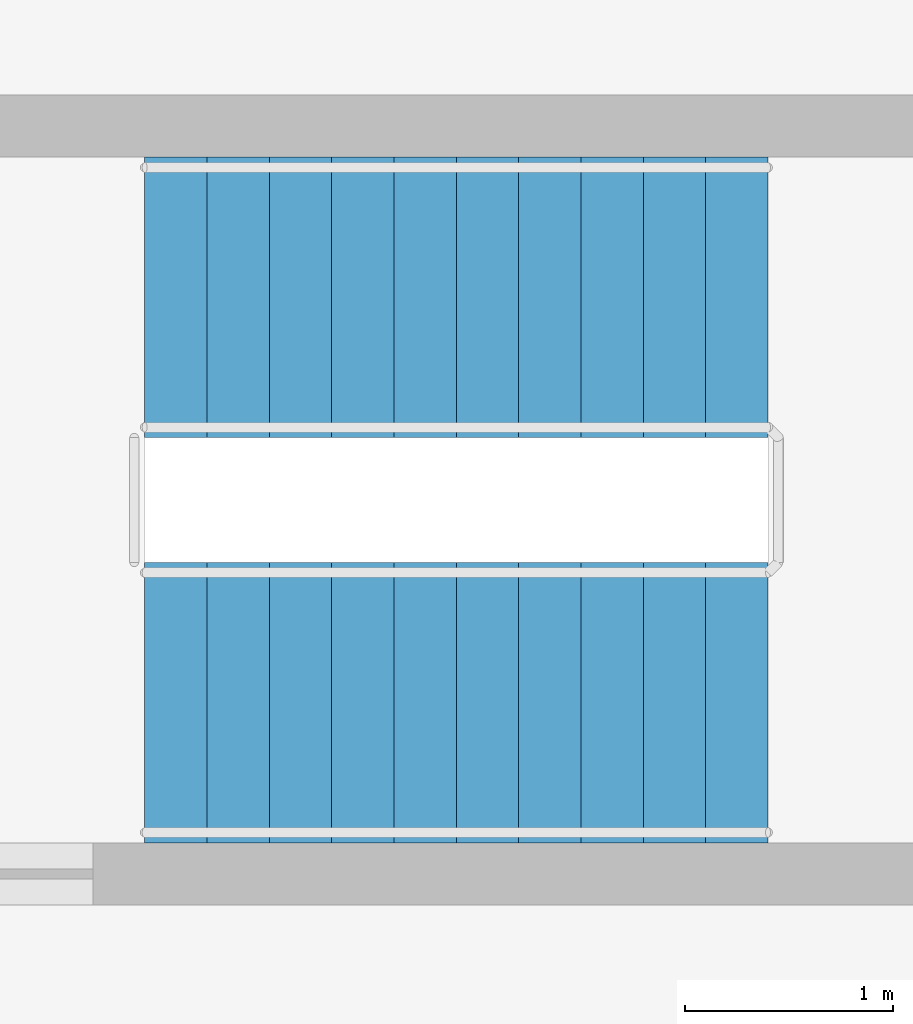
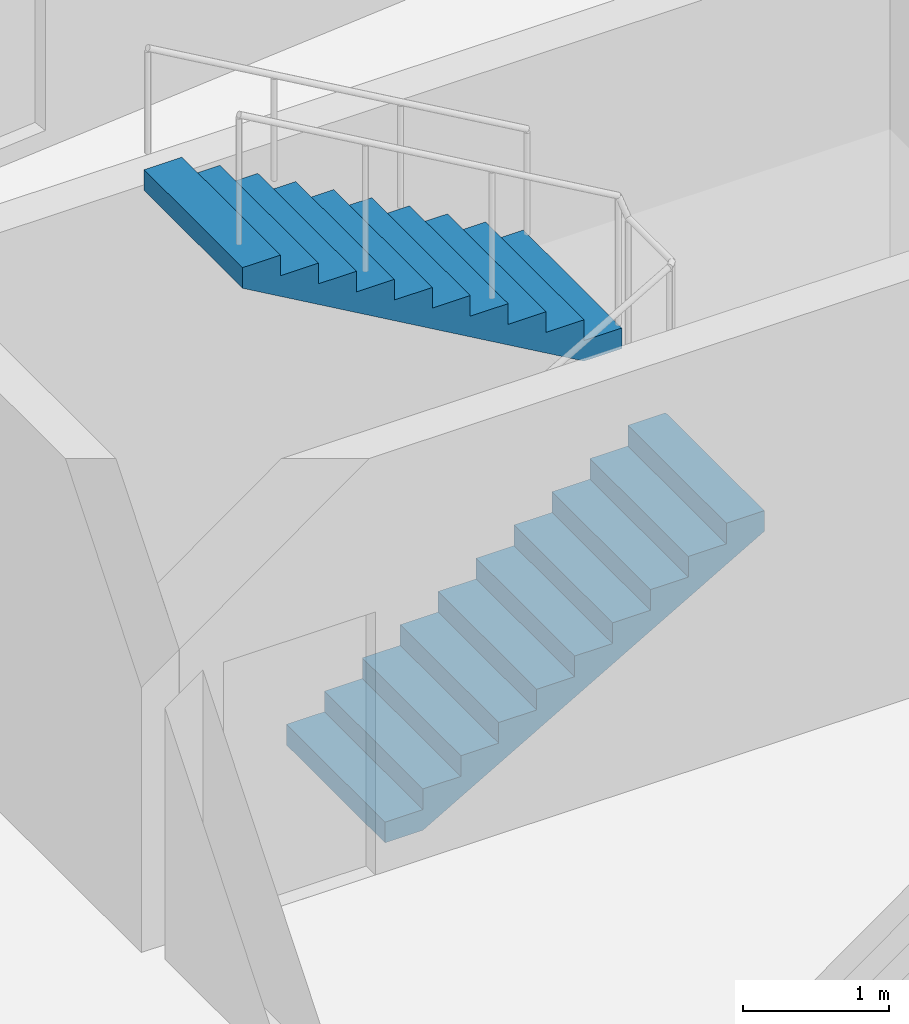
# One storey, part 9 of 11: 2 stair flights, 1 element without a shape of its own.
"""IFC4 building model written with IfcOpenShell, lengths in metres."""

import ifcopenshell
import ifcopenshell.guid

model = None  # the IFC model being written
_history = None  # IfcOwnerHistory: only IFC2X3 demands one
_inside = {}  # id of a spatial element -> (the spatial element, [elements in it])
_under = {}  # id of a project, library or spatial element -> (it, [spatial elements below it])
_declared = {}  # id of a project -> (the project, [libraries it declares])
_typed = {}  # id of a type object -> (the type object, [elements of that type])
_made_of = {}  # id of a material, layer set ... -> (it, [elements and type objects made of it])


def new_model(schema):
    """Start an empty IFC model of exactly this schema.

    Asked for "IFC4X3", IfcOpenShell would pick the latest addendum, in which some entities
    have other attributes; the version numbers below select the first issue.
    IFC2X3 requires an IfcOwnerHistory on every rooted entity: one is made here for all.
    """
    global model, _history
    if schema == "IFC4X3":
        model = ifcopenshell.file(schema_version=(4, 3, 0, 0))
    else:
        model = ifcopenshell.file(schema=schema)
    _inside.clear()
    _under.clear()
    _declared.clear()
    _typed.clear()
    _made_of.clear()
    _history = None
    if model.schema == "IFC2X3":
        org = make("IfcOrganization", Name="unknown")
        user = make(
            "IfcPersonAndOrganization",
            ThePerson=make("IfcPerson", FamilyName="unknown"),
            TheOrganization=org,
        )
        app = make(
            "IfcApplication",
            ApplicationDeveloper=org,
            Version="unknown",
            ApplicationFullName="unknown",
            ApplicationIdentifier="unknown",
        )
        _history = make(
            "IfcOwnerHistory",
            OwningUser=user,
            OwningApplication=app,
            ChangeAction="ADDED",
            CreationDate=0,
        )
    return model


def make(cls, **values):
    """One entity of the class cls with the attributes given. An attribute that is None is left unset."""
    return model.create_entity(
        cls, **{name: value for name, value in values.items() if value is not None}
    )


def rooted(cls, **values):
    """An entity with a GlobalId (a new one), such as an element, a storey or a relation."""
    return make(cls, GlobalId=ifcopenshell.guid.new(), OwnerHistory=_history, **values)


def si_unit(unit_type, name, prefix=None):
    """IfcSIUnit, for example si_unit("LENGTHUNIT", "METRE", prefix="MILLI")."""
    return make("IfcSIUnit", UnitType=unit_type, Prefix=prefix, Name=name)


def assignment(units):
    """IfcUnitAssignment: the units of a project."""
    return None if units is None else make("IfcUnitAssignment", Units=units)


def point(xyz):
    """IfcCartesianPoint."""
    return None if xyz is None else make("IfcCartesianPoint", Coordinates=xyz)


def direction(xyz):
    """IfcDirection."""
    return None if xyz is None else make("IfcDirection", DirectionRatios=xyz)


def frame(location, z_axis=None, x_axis=None):
    """IfcAxis2Placement3D, a coordinate frame: its origin and axes. An axis left out is left unset."""
    return make(
        "IfcAxis2Placement3D",
        Location=point(location),
        Axis=direction(z_axis),
        RefDirection=direction(x_axis),
    )


def origin():
    """The frame at (0, 0, 0) with its axes left unset."""
    return frame((0.0, 0.0, 0.0))


def place(relative_to, where):
    """IfcLocalPlacement: puts the frame where relative to a parent placement (None: the world)."""
    return make(
        "IfcLocalPlacement", PlacementRelTo=relative_to, RelativePlacement=where
    )


def context(
    kind, dimensions, precision=None, world=None, true_north=None, identifier=None
):
    """IfcGeometricRepresentationContext, for example the 3D "Model" context."""
    return make(
        "IfcGeometricRepresentationContext",
        ContextIdentifier=identifier,
        ContextType=kind,
        CoordinateSpaceDimension=dimensions,
        Precision=precision,
        WorldCoordinateSystem=world,
        TrueNorth=true_north,
    )


def subcontext(parent, identifier, kind, view, scale=None):
    """IfcGeometricRepresentationSubContext, for example "Body" below "Model"."""
    return make(
        "IfcGeometricRepresentationSubContext",
        ContextIdentifier=identifier,
        ContextType=kind,
        ParentContext=parent,
        TargetScale=scale,
        TargetView=view,
    )


def project(units=None, contexts=None):
    """IfcProject with its units and contexts."""
    return rooted(
        "IfcProject",
        Name="project",
        RepresentationContexts=contexts,
        UnitsInContext=assignment(units),
    )


def spatial(cls, under=None, at=None, **own):
    """A site, building, storey or space (cls), placed at a placement, below another one or the project."""
    s = rooted(cls, ObjectPlacement=at, **own)
    if under is not None:
        _under.setdefault(under.id(), (under, []))[1].append(s)
    return s


def polyline(points):
    """IfcPolyline through the points."""
    return make("IfcPolyline", Points=[point(p) for p in points])


def outline(outer, holes=None, kind="AREA"):
    """IfcArbitraryClosedProfileDef: a profile drawn as a closed curve; with holes, ...WithVoids."""
    if holes is None:
        return make("IfcArbitraryClosedProfileDef", ProfileType=kind, OuterCurve=outer)
    return make(
        "IfcArbitraryProfileDefWithVoids",
        ProfileType=kind,
        OuterCurve=outer,
        InnerCurves=holes,
    )


def extrude(swept, where, along, depth):
    """IfcExtrudedAreaSolid: the profile swept, set in the frame where, extruded along a direction by depth."""
    return make(
        "IfcExtrudedAreaSolid",
        SweptArea=swept,
        Position=where,
        ExtrudedDirection=direction(along),
        Depth=depth,
    )


def shape(context_of_items, identifier, shape_type, items):
    """IfcShapeRepresentation: the items that make up one representation, for example the "Body"."""
    return make(
        "IfcShapeRepresentation",
        ContextOfItems=context_of_items,
        RepresentationIdentifier=identifier,
        RepresentationType=shape_type,
        Items=items,
    )


def material(Name=None, Category=None):
    """IfcMaterial."""
    return make("IfcMaterial", Name=Name, Category=Category)


def made_of(thing, what):
    """Note that an element or type object is made of a material, layer set ...; save() writes the relation."""
    if what is not None:
        _made_of.setdefault(what.id(), (what, []))[1].append(thing)
    return thing


def type_object(cls, material=None, **own):
    """A type object (cls), such as IfcWallType, which elements share."""
    return made_of(rooted(cls, **own), material)


def element(
    cls,
    number,
    at=None,
    inside=None,
    cuts=None,
    type_object=None,
    material=None,
    context=None,
    identifier="Body",
    shape_type=None,
    held_by="IfcProductDefinitionShape",
    body=None,
    shapes=None,
    **own,
):
    """One element of the class cls, such as IfcWall. Its Tag is "e" and its number.

    at: its placement. inside: the storey or other place that contains it. cuts: it is an
    opening in that element (IfcRelVoidsElement). A single representation is given by context,
    identifier, shape_type and body (its items); several are given by shapes. held_by: the class
    of the entity that holds the representations. save() writes the other relations.
    """
    e = rooted(cls, Tag="e%d" % number, ObjectPlacement=at, **own)
    if body is not None:
        shapes = [shape(context, identifier, shape_type, body)]
    if shapes is not None:
        e.Representation = make(held_by, Representations=shapes)
    if inside is not None:
        _inside.setdefault(inside.id(), (inside, []))[1].append(e)
    if cuts is not None:
        rooted(
            "IfcRelVoidsElement", RelatingBuildingElement=cuts, RelatedOpeningElement=e
        )
    if type_object is not None:
        _typed.setdefault(type_object.id(), (type_object, []))[1].append(e)
    return made_of(e, material)


def aggregate(whole, parts):
    """IfcRelAggregates: a whole, such as a stair, and the parts it consists of."""
    return rooted("IfcRelAggregates", RelatingObject=whole, RelatedObjects=parts)


def save(model, path):
    """Write the relations noted so far, then the file.

    IfcRelAggregates (storeys below a building ...), IfcRelContainedInSpatialStructure (elements
    in a storey), IfcRelDefinesByType, IfcRelAssociatesMaterial and IfcRelDeclares: one each for
    every whole, place, type object, material and project.
    """
    for whole, parts in _under.values():
        aggregate(whole, parts)
    for where, things in _inside.values():
        rooted(
            "IfcRelContainedInSpatialStructure",
            RelatedElements=things,
            RelatingStructure=where,
        )
    for kind, things in _typed.values():
        rooted("IfcRelDefinesByType", RelatedObjects=things, RelatingType=kind)
    for what, things in _made_of.values():
        rooted("IfcRelAssociatesMaterial", RelatedObjects=things, RelatingMaterial=what)
    for by, libraries in _declared.values():
        rooted("IfcRelDeclares", RelatingContext=by, RelatedDefinitions=libraries)
    model.write(path)


model = new_model("IFC4")

# Units and contexts
model_context = context("Model", 3, precision=1e-05, world=origin(), true_north=direction((0.0, 1.0)))
body_context = subcontext(model_context, "Body", "Model", "MODEL_VIEW")
ifc_project = project(units=[si_unit("LENGTHUNIT", "METRE"), si_unit("AREAUNIT", "SQUARE_METRE"), si_unit("VOLUMEUNIT", "CUBIC_METRE"), si_unit("PLANEANGLEUNIT", "RADIAN"), si_unit("MASSUNIT", "GRAM", prefix="KILO")], contexts=[model_context])

# Site, building, storey
site_placement = place(None, origin())
site = spatial("IfcSite", under=ifc_project, at=site_placement, CompositionType="ELEMENT")
building_placement = place(site_placement, origin())
building = spatial("IfcBuilding", under=site, at=building_placement, Name="Brondeck Convention Tower", CompositionType="ELEMENT")
storey_placement = place(building_placement, frame((0.0, 0.0, 134.10009765625)))
storey = spatial("IfcBuildingStorey", under=building, at=storey_placement, Name="L32", CompositionType="ELEMENT", Elevation=134.10009765625)

# Stair, stair flights
ifc_material = material(Name="Precast concrete C50/60", Category="concrete")
stair_type = type_object("IfcStairType", Name="Core stair 22 risers 172.73 mm riser 300 mm going 1350 wide", PredefinedType="HALF_TURN_STAIR", material=ifc_material)
stair_placement = place(storey_placement, origin())
stair = element("IfcStair", 1, at=stair_placement, inside=storey, type_object=stair_type, Name="ST-AE L32 stair", PredefinedType="HALF_TURN_STAIR")
stair_flight_type = type_object("IfcStairFlightType", Name="Core stair flight 22 risers 172.73 mm riser 300 mm going 1350 wide", PredefinedType="STRAIGHT", material=ifc_material)
stair_flight_1_placement = place(storey_placement, frame((37.85009765625, 54.824951171875, 0.0), z_axis=(0.0, 0.0, 1.0), x_axis=(1.0, 0.0, 0.0)))
stair_flight_1 = element("IfcStairFlight", 2, at=stair_flight_1_placement, type_object=stair_flight_type, Name="ST-AE flight 1", NumberOfRisers=11, NumberOfTreads=10, PredefinedType="STRAIGHT", RiserHeight=0.172727273, TreadLength=0.3, context=body_context, shape_type="SweptSolid", body=[
    extrude(outline(polyline([(0.0, 0.0), (0.0, 0.172607421875), (0.300048828125, 0.172607421875), (0.300048828125, 0.345458984375), (0.60009765625, 0.345458984375), (0.60009765625, 0.51806640625), (0.89990234375, 0.51806640625), (0.89990234375, 0.69091796875), (1.199951171875, 0.69091796875), (1.199951171875, 0.863525390625), (1.5, 0.863525390625), (1.5, 1.036376953125), (1.800048828125, 1.036376953125), (1.800048828125, 1.208984375), (2.10009765625, 1.208984375), (2.10009765625, 1.3818359375), (2.39990234375, 1.3818359375), (2.39990234375, 1.554443359375), (2.699951171875, 1.554443359375), (2.699951171875, 1.727294921875), (3.0, 1.727294921875), (3.0, 1.89990234375), (3.0, 1.55419921875), (0.300537109375, 0.0), (0.0, 0.0)])), frame((0.0, 0.675048828125, 0.0), z_axis=(0.0, -1.0, 0.0), x_axis=(1.0, 0.0, 0.0)), (0.0, 0.0, 1.0), 1.35009765625),
])
stair_flight_2_placement = place(storey_placement, frame((40.85009765625, 56.77490234375, 1.89990234375), z_axis=(0.0, 0.0, 1.0), x_axis=(-1.0, 0.0, 0.0)))
stair_flight_2 = element("IfcStairFlight", 3, at=stair_flight_2_placement, type_object=stair_flight_type, Name="ST-AE flight 2", NumberOfRisers=11, NumberOfTreads=10, PredefinedType="STRAIGHT", RiserHeight=0.172727273, TreadLength=0.3, context=body_context, shape_type="SweptSolid", body=[
    extrude(outline(polyline([(0.0, 0.0), (0.0, 0.172607421875), (0.300048828125, 0.172607421875), (0.300048828125, 0.345458984375), (0.60009765625, 0.345458984375), (0.60009765625, 0.51806640625), (0.89990234375, 0.51806640625), (0.89990234375, 0.69091796875), (1.199951171875, 0.69091796875), (1.199951171875, 0.863525390625), (1.5, 0.863525390625), (1.5, 1.036376953125), (1.800048828125, 1.036376953125), (1.800048828125, 1.208984375), (2.10009765625, 1.208984375), (2.10009765625, 1.3818359375), (2.39990234375, 1.3818359375), (2.39990234375, 1.554443359375), (2.699951171875, 1.554443359375), (2.699951171875, 1.727294921875), (3.0, 1.727294921875), (3.0, 1.89990234375), (3.0, 1.55419921875), (0.300537109375, 0.0), (0.0, 0.0)])), frame((0.0, 0.675048828125, 0.0), z_axis=(0.0, -1.0, 0.0), x_axis=(1.0, 0.0, 0.0)), (0.0, 0.0, 1.0), 1.35009765625),
])
aggregate(stair, [stair_flight_1, stair_flight_2])

save(model, "model.ifc")
